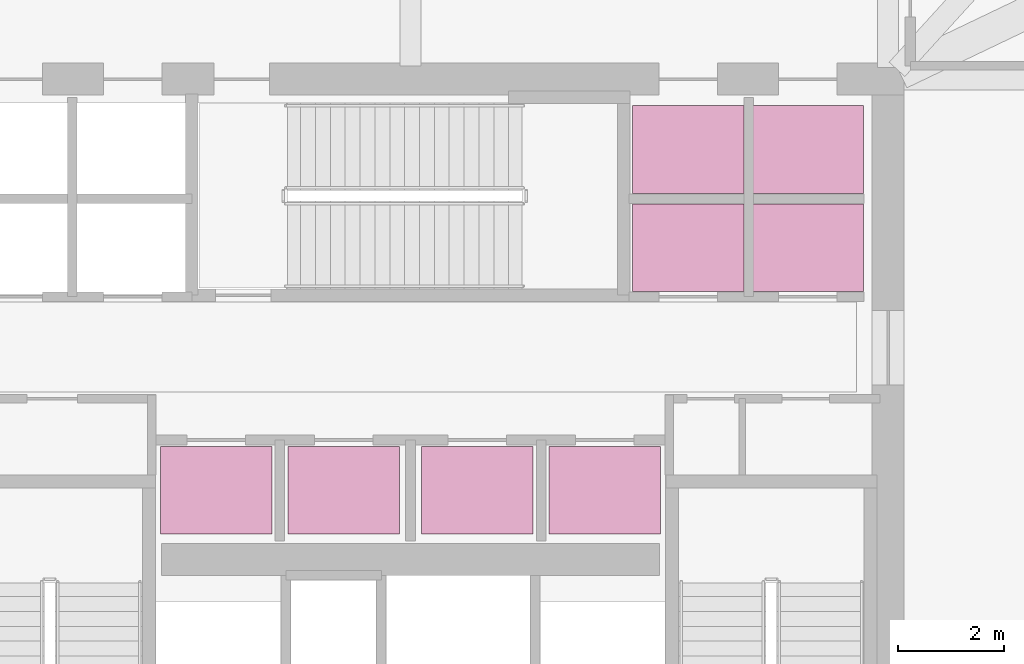
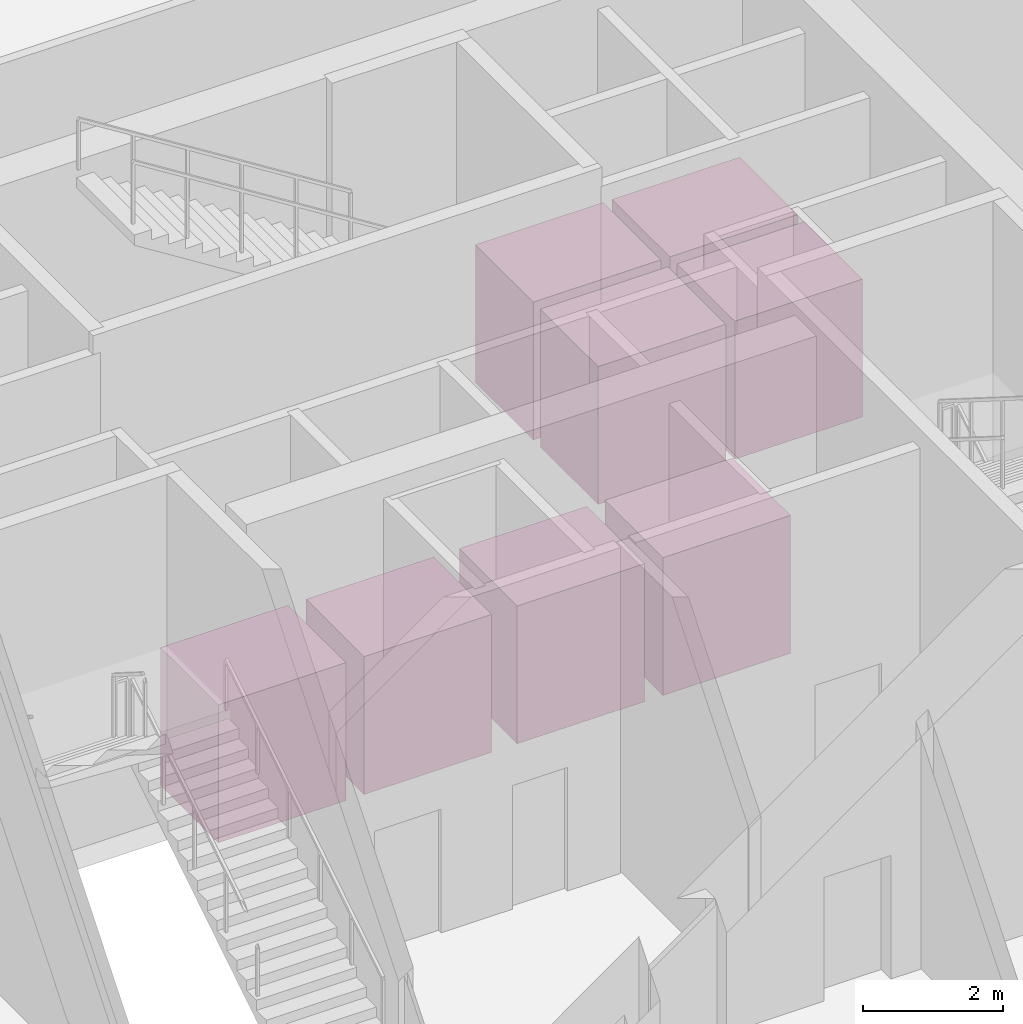
# One storey, part 10 of 10: 8 transport elements.
"""IFC4 building model written with IfcOpenShell, lengths in metres."""

from ifc_helpers import new_model, si_unit, direction, frame, origin, origin_2d, place, context, subcontext, project, spatial, rectangle, extrude, material, type_object, element, save


model = new_model("IFC4")

# Units and contexts
model_context = context("Model", 3, precision=1e-05, world=origin(), true_north=direction((0.0, 1.0)))
body_context = subcontext(model_context, "Body", "Model", "MODEL_VIEW")
ifc_project = project(units=[si_unit("LENGTHUNIT", "METRE"), si_unit("AREAUNIT", "SQUARE_METRE"), si_unit("VOLUMEUNIT", "CUBIC_METRE"), si_unit("PLANEANGLEUNIT", "RADIAN"), si_unit("MASSUNIT", "GRAM", prefix="KILO")], contexts=[model_context])

# Site, building, storey
site_placement = place(None, origin())
site = spatial("IfcSite", under=ifc_project, at=site_placement, CompositionType="ELEMENT")
building_placement = place(site_placement, origin())
building = spatial("IfcBuilding", under=site, at=building_placement, Name="Haldenkirk Collegiate Tower", CompositionType="ELEMENT")
storey_placement = place(building_placement, origin())
storey = spatial("IfcBuildingStorey", under=building, at=storey_placement, Name="L00", CompositionType="ELEMENT", Elevation=0.0)

# Transport elements
ifc_material = material(Name="Brushed architectural stainless steel", Category="steel")
transport_element_type = type_object("IfcTransportElementType", Name="LFT-PASS-1800", PredefinedType="ELEVATOR", material=ifc_material)
for number, where, z_axis, x_axis, name in (
    (1, (41.235107421875, 30.824951171875, 0.0), (0.0, 0.0, 1.0), (1.0, 0.0, 0.0), "Elevator PM1"),
    (2, (43.485107421875, 30.824951171875, 0.0), (0.0, 0.0, 1.0), (1.0, 0.0, 0.0), "Elevator PM2"),
    (3, (41.235107421875, 32.675048828125, 0.0), (0.0, 0.0, 1.0), (1.0, 0.0, 0.0), "Elevator PM3"),
    (4, (43.485107421875, 32.675048828125, 0.0), (0.0, 0.0, 1.0), (1.0, 0.0, 0.0), "Elevator PM4"),
    (5, (32.340087890625, 26.25, 0.0), (0.0, 0.0, 1.0), (1.0, 0.0, 0.0), "Elevator PH1"),
    (6, (34.739990234375, 26.25, 0.0), (0.0, 0.0, 1.0), (1.0, 0.0, 0.0), "Elevator PH2"),
    (7, (37.260009765625, 26.25, 0.0), (0.0, 0.0, 1.0), (1.0, 0.0, 0.0), "Elevator PH3"),
    (8, (39.659912109375, 26.25, 0.0), (0.0, 0.0, 1.0), (1.0, 0.0, 0.0), "Elevator PH4"),
):
    element("IfcTransportElement", number, at=place(storey_placement, frame(where, z_axis=z_axis, x_axis=x_axis)), inside=storey, type_object=transport_element_type, Name=name, PredefinedType="ELEVATOR", context=body_context, shape_type="SweptSolid", body=[
        extrude(rectangle(XDim=2.10009765625, YDim=1.64990234375, at=origin_2d()), origin(), (0.0, 0.0, 1.0), 2.39990234375),
    ])

save(model, "model.ifc")
